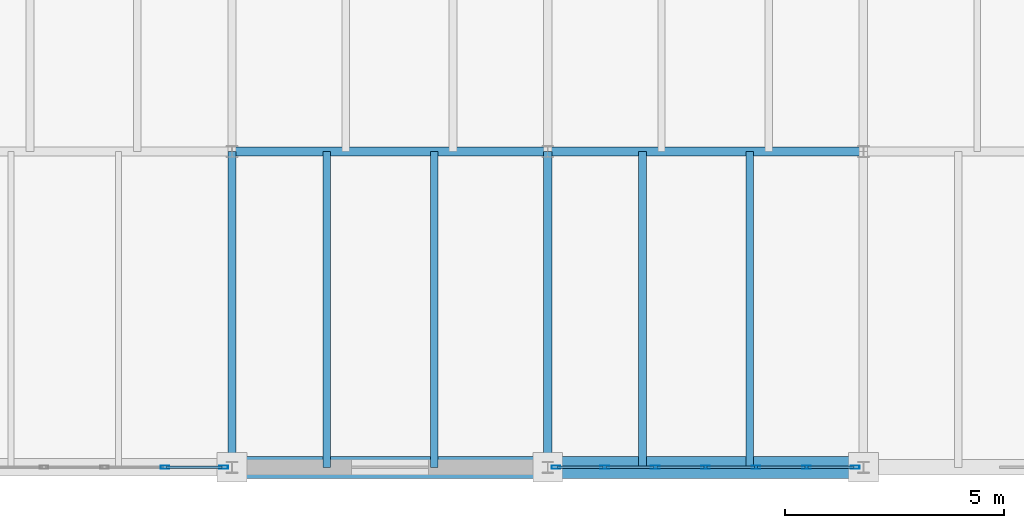
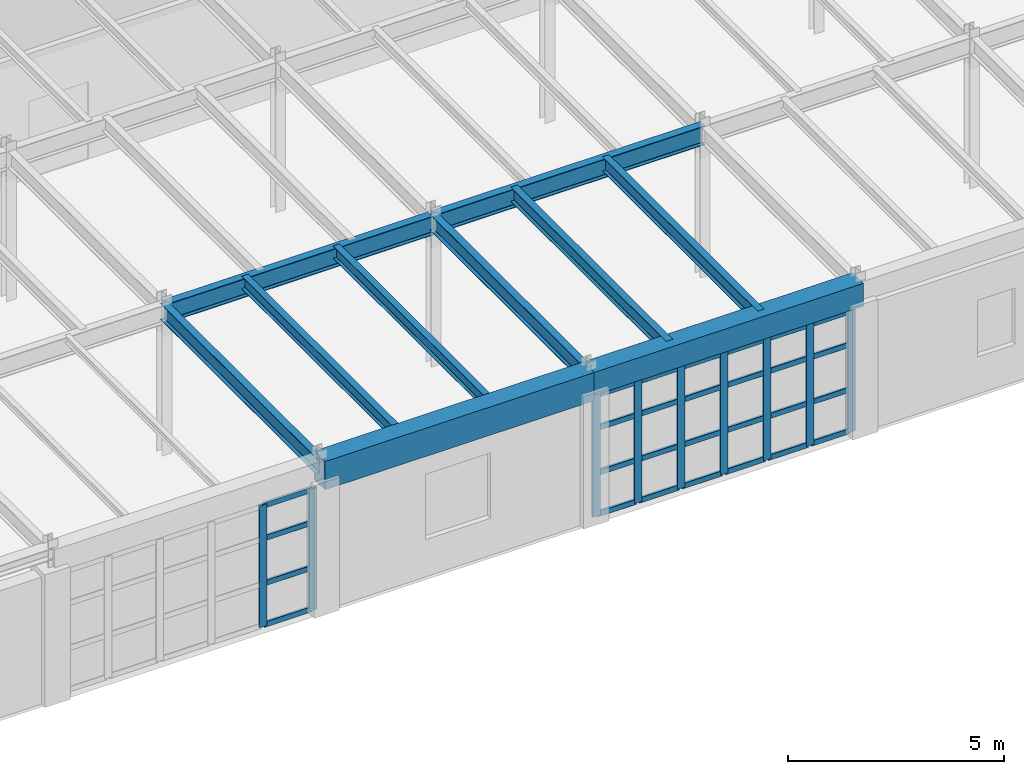
# One storey, part 68 of 137: 37 members, 10 beams, 2 elements without a shape of their own.
"""IFC4 building model written with IfcOpenShell, lengths in metres."""

from ifc_helpers import new_model, si_unit, direction, frame, origin, origin_2d, place, context, subcontext, project, spatial, rectangle, hollow_rectangle, i_section, extrude, material, layer, layer_set, material_profile, profile_set, type_object, element, aggregate, save


model = new_model("IFC4")

# Units and contexts
model_context = context("Model", 3, precision=1e-05, world=origin(), true_north=direction((0.0, 1.0)))
body_context = subcontext(model_context, "Body", "Model", "MODEL_VIEW")
ifc_project = project(units=[si_unit("LENGTHUNIT", "METRE"), si_unit("AREAUNIT", "SQUARE_METRE"), si_unit("VOLUMEUNIT", "CUBIC_METRE"), si_unit("PLANEANGLEUNIT", "RADIAN"), si_unit("MASSUNIT", "GRAM", prefix="KILO")], contexts=[model_context])

# Site, building, storey
site_placement = place(None, origin())
site = spatial("IfcSite", under=ifc_project, at=site_placement, CompositionType="ELEMENT")
building_placement = place(site_placement, origin())
building = spatial("IfcBuilding", under=site, at=building_placement, Name="Kemerveld Promenade Tramway Depot", CompositionType="ELEMENT")
storey_placement = place(building_placement, frame((0.0, 0.0, 5.39990234375)))
storey = spatial("IfcBuildingStorey", under=building, at=storey_placement, Name="L01", CompositionType="ELEMENT", Elevation=5.39990234375)

# Beams
ifc_material_1 = material(Name="Steel S355", Category="steel")
ifc_material_profile_1 = material_profile(ifc_material_1, i_section(OverallWidth=0.2099609375, OverallDepth=0.53662109375, WebThickness=0.0107421875, FlangeThickness=0.017333984375, FilletRadius=0.0126953125, at=origin_2d()), Name="533x210x101 UB")
ifc_profile_set_1 = profile_set([ifc_material_profile_1], Name="Steel S355")
beam_type_1 = type_object("IfcBeamType", Name="BM-G05", PredefinedType="BEAM", material=ifc_profile_set_1)
for number, where, z_axis, x_axis, name in (
    (1, (129.60009765625, 7.199951171875, 3.981689453125), (1.0, 0.0, 0.0), (0.0, 1.0, 0.0), "BMX-L01-19-20-B"),
    (2, (136.800048828125, 7.199951171875, 3.99169921875), (1.0, 0.0, 0.0), (0.0, 1.0, 0.0), "BMX-L01-20-21-B"),
):
    element("IfcBeam", number, at=place(storey_placement, frame(where, z_axis=z_axis, x_axis=x_axis)), inside=storey, type_object=beam_type_1, Name=name, PredefinedType="BEAM", context=body_context, shape_type="SweptSolid", body=[
        extrude(i_section(OverallWidth=0.2099609375, OverallDepth=0.53662109375, WebThickness=0.0107421875, FlangeThickness=0.017333984375, FilletRadius=0.0126953125, at=origin_2d()), origin(), (0.0, 0.0, 1.0), 7.199951171875),
    ])
ifc_material_profile_2 = material_profile(ifc_material_1, i_section(OverallWidth=0.19140625, OverallDepth=0.4599609375, WebThickness=0.010009765625, FlangeThickness=0.01611328125, FilletRadius=0.01025390625, at=origin_2d()), Name="457x191x82 UB")
ifc_profile_set_2 = profile_set([ifc_material_profile_2], Name="Steel S355")
beam_type_2 = type_object("IfcBeamType", Name="BM-G06", PredefinedType="BEAM", material=ifc_profile_set_2)
for number, where, z_axis, x_axis, name in (
    (3, (129.60009765625, 0.0, 4.02001953125), (0.0, 1.0, 0.0), (-1.0, 0.0, 0.0), "BMY-L01-19-A-B"),
    (4, (136.800048828125, 0.0, 4.030029296875), (0.0, 1.0, 0.0), (-1.0, 0.0, 0.0), "BMY-L01-20-A-B"),
):
    element("IfcBeam", number, at=place(storey_placement, frame(where, z_axis=z_axis, x_axis=x_axis)), inside=storey, type_object=beam_type_2, Name=name, PredefinedType="BEAM", context=body_context, shape_type="SweptSolid", body=[
        extrude(i_section(OverallWidth=0.19140625, OverallDepth=0.4599609375, WebThickness=0.010009765625, FlangeThickness=0.01611328125, FilletRadius=0.01025390625, at=origin_2d()), origin(), (0.0, 0.0, 1.0), 7.199951171875),
    ])
ifc_material_profile_3 = material_profile(ifc_material_1, i_section(OverallWidth=0.172119140625, OverallDepth=0.35791015625, WebThickness=0.008056640625, FlangeThickness=0.012939453125, FilletRadius=0.01025390625, at=origin_2d()), Name="356x171x57 UB")
ifc_profile_set_3 = profile_set([ifc_material_profile_3], Name="Steel S355")
beam_type_3 = type_object("IfcBeamType", Name="BM-J04", PredefinedType="JOIST", material=ifc_profile_set_3)
for number, where, z_axis, x_axis, name in (
    (5, (131.760009765625, 0.0, 4.0810546875), (0.0, 1.0, 0.0), (-1.0, 0.0, 0.0), "JST-L01-19-A-1"),
    (6, (134.2080078125, 0.0, 4.0810546875), (0.0, 1.0, 0.0), (-1.0, 0.0, 0.0), "JST-L01-19-A-2"),
):
    element("IfcBeam", number, at=place(storey_placement, frame(where, z_axis=z_axis, x_axis=x_axis)), inside=storey, type_object=beam_type_3, Name=name, PredefinedType="JOIST", context=body_context, shape_type="SweptSolid", body=[
        extrude(i_section(OverallWidth=0.172119140625, OverallDepth=0.35791015625, WebThickness=0.008056640625, FlangeThickness=0.012939453125, FilletRadius=0.01025390625, at=origin_2d()), origin(), (0.0, 0.0, 1.0), 7.199951171875),
    ])
ifc_material_profile_4 = material_profile(ifc_material_1, i_section(OverallWidth=0.1787109375, OverallDepth=0.409423828125, WebThickness=0.0087890625, FlangeThickness=0.014404296875, FilletRadius=0.01025390625, at=origin_2d()), Name="406x178x67 UB")
ifc_profile_set_4 = profile_set([ifc_material_profile_4], Name="Steel S355")
beam_type_4 = type_object("IfcBeamType", Name="BM-J05", PredefinedType="JOIST", material=ifc_profile_set_4)
for number, where, z_axis, x_axis, name in (
    (7, (138.9599609375, 0.0, 4.055419921875), (0.0, 1.0, 0.0), (-1.0, 0.0, 0.0), "JST-L01-20-A-1"),
    (8, (141.407958984375, 0.0, 4.055419921875), (0.0, 1.0, 0.0), (-1.0, 0.0, 0.0), "JST-L01-20-A-2"),
):
    element("IfcBeam", number, at=place(storey_placement, frame(where, z_axis=z_axis, x_axis=x_axis)), inside=storey, type_object=beam_type_4, Name=name, PredefinedType="JOIST", context=body_context, shape_type="SweptSolid", body=[
        extrude(i_section(OverallWidth=0.1787109375, OverallDepth=0.409423828125, WebThickness=0.0087890625, FlangeThickness=0.014404296875, FilletRadius=0.01025390625, at=origin_2d()), origin(), (0.0, 0.0, 1.0), 7.199951171875),
    ])
ifc_material_2 = material(Name="Concrete C40/50", Category="concrete")
ifc_material_profile_5 = material_profile(ifc_material_2, rectangle(XDim=0.5, YDim=0.64990234375, at=origin_2d()), Name="RC-PLINTH-500x650")
ifc_profile_set_5 = profile_set([ifc_material_profile_5], Name="Concrete C40/50")
beam_type_5 = type_object("IfcBeamType", Name="BM-PL1", PredefinedType="BEAM", material=ifc_profile_set_5)
beam_1_placement = place(storey_placement, frame((136.800048828125, 0.0, 3.93505859375), z_axis=(1.0, 0.0, 0.0), x_axis=(0.0, 1.0, 0.0)))
element("IfcBeam", 9, at=beam_1_placement, inside=storey, type_object=beam_type_5, Name="BMX-L01-20-21-A", PredefinedType="BEAM", context=body_context, shape_type="SweptSolid", body=[
    extrude(rectangle(XDim=0.5, YDim=0.64990234375, at=origin_2d()), origin(), (0.0, 0.0, 1.0), 7.199951171875),
])
ifc_material_profile_6 = material_profile(ifc_material_2, rectangle(XDim=0.5, YDim=0.800048828125, at=origin_2d()), Name="RC-BM-500x800")
ifc_profile_set_6 = profile_set([ifc_material_profile_6], Name="Concrete C40/50")
beam_type_6 = type_object("IfcBeamType", Name="BM-RC2", PredefinedType="BEAM", material=ifc_profile_set_6)
beam_2_placement = place(storey_placement, frame((129.60009765625, 0.0, 3.860107421875), z_axis=(1.0, 0.0, 0.0), x_axis=(0.0, 1.0, 0.0)))
element("IfcBeam", 10, at=beam_2_placement, inside=storey, type_object=beam_type_6, Name="BMX-L01-19-20-A", PredefinedType="BEAM", context=body_context, shape_type="SweptSolid", body=[
    extrude(rectangle(XDim=0.5, YDim=0.800048828125, at=origin_2d()), origin(), (0.0, 0.0, 1.0), 7.199951171875),
])

# Curtain wall, members
ifc_material_3 = material(Name="Bronze anodised aluminium and solar glass", Category="aluminium")
ifc_layer_1 = layer(ifc_material_3, 0.199951171875)
ifc_layer_set_1 = layer_set([ifc_layer_1], Name="CW-SYS-06")
curtain_wall_type_1 = type_object("IfcCurtainWallType", Name="CW-SYS-06", PredefinedType="USERDEFINED", material=ifc_layer_set_1)
curtain_wall_1_placement = place(storey_placement, origin())
curtain_wall_1 = element("IfcCurtainWall", 11, at=curtain_wall_1_placement, inside=storey, type_object=curtain_wall_type_1, Name="CW-L01-V4S-03", ObjectType="GLAZED_CURTAIN_WALL", PredefinedType="USERDEFINED")
ifc_material_4 = material(Name="Bronze anodised aluminium", Category="aluminium")
ifc_material_profile_7 = material_profile(ifc_material_4, hollow_rectangle(XDim=0.074951171875, YDim=0.199951171875, WallThickness=0.0048828125, InnerFilletRadius=0.001953125, OuterFilletRadius=0.0048828125, at=origin_2d()), Name="CW-MUL-200x75")
ifc_profile_set_7 = profile_set([ifc_material_profile_7], Name="Bronze anodised aluminium")
member_type_1 = type_object("IfcMemberType", Name="CW-MUL-B", PredefinedType="MULLION", material=ifc_profile_set_7)
member_1_placement = place(storey_placement, frame((143.8125, 0.0, 0.0), z_axis=(0.0, 0.0, 1.0), x_axis=(0.0, -1.0, 0.0)))
member_1 = element("IfcMember", 12, at=member_1_placement, type_object=member_type_1, Name="CW06 mullion 1", PredefinedType="MULLION", context=body_context, shape_type="SweptSolid", body=[
    extrude(hollow_rectangle(XDim=0.074951171875, YDim=0.199951171875, WallThickness=0.0048828125, InnerFilletRadius=0.001953125, OuterFilletRadius=0.0048828125, at=origin_2d()), origin(), (0.0, 0.0, 1.0), 3.440185546875),
])
member_2_placement = place(storey_placement, frame((142.699951171875, 0.0, 0.0), z_axis=(0.0, 0.0, 1.0), x_axis=(0.0, -1.0, 0.0)))
member_2 = element("IfcMember", 13, at=member_2_placement, type_object=member_type_1, Name="CW06 mullion 2", PredefinedType="MULLION", context=body_context, shape_type="SweptSolid", body=[
    extrude(hollow_rectangle(XDim=0.074951171875, YDim=0.199951171875, WallThickness=0.0048828125, InnerFilletRadius=0.001953125, OuterFilletRadius=0.0048828125, at=origin_2d()), origin(), (0.0, 0.0, 1.0), 3.440185546875),
])
member_3_placement = place(storey_placement, frame((141.550048828125, 0.0, 0.0), z_axis=(0.0, 0.0, 1.0), x_axis=(0.0, -1.0, 0.0)))
member_3 = element("IfcMember", 14, at=member_3_placement, type_object=member_type_1, Name="CW06 mullion 3", PredefinedType="MULLION", context=body_context, shape_type="SweptSolid", body=[
    extrude(hollow_rectangle(XDim=0.074951171875, YDim=0.199951171875, WallThickness=0.0048828125, InnerFilletRadius=0.001953125, OuterFilletRadius=0.0048828125, at=origin_2d()), origin(), (0.0, 0.0, 1.0), 3.440185546875),
])
member_4_placement = place(storey_placement, frame((140.400146484375, 0.0, 0.0), z_axis=(0.0, 0.0, 1.0), x_axis=(0.0, -1.0, 0.0)))
member_4 = element("IfcMember", 15, at=member_4_placement, type_object=member_type_1, Name="CW06 mullion 4", PredefinedType="MULLION", context=body_context, shape_type="SweptSolid", body=[
    extrude(hollow_rectangle(XDim=0.074951171875, YDim=0.199951171875, WallThickness=0.0048828125, InnerFilletRadius=0.001953125, OuterFilletRadius=0.0048828125, at=origin_2d()), origin(), (0.0, 0.0, 1.0), 3.440185546875),
])
member_5_placement = place(storey_placement, frame((139.25, 0.0, 0.0), z_axis=(0.0, 0.0, 1.0), x_axis=(0.0, -1.0, 0.0)))
member_5 = element("IfcMember", 16, at=member_5_placement, type_object=member_type_1, Name="CW06 mullion 5", PredefinedType="MULLION", context=body_context, shape_type="SweptSolid", body=[
    extrude(hollow_rectangle(XDim=0.074951171875, YDim=0.199951171875, WallThickness=0.0048828125, InnerFilletRadius=0.001953125, OuterFilletRadius=0.0048828125, at=origin_2d()), origin(), (0.0, 0.0, 1.0), 3.440185546875),
])
member_6_placement = place(storey_placement, frame((138.10009765625, 0.0, 0.0), z_axis=(0.0, 0.0, 1.0), x_axis=(0.0, -1.0, 0.0)))
member_6 = element("IfcMember", 17, at=member_6_placement, type_object=member_type_1, Name="CW06 mullion 6", PredefinedType="MULLION", context=body_context, shape_type="SweptSolid", body=[
    extrude(hollow_rectangle(XDim=0.074951171875, YDim=0.199951171875, WallThickness=0.0048828125, InnerFilletRadius=0.001953125, OuterFilletRadius=0.0048828125, at=origin_2d()), origin(), (0.0, 0.0, 1.0), 3.440185546875),
])
member_7_placement = place(storey_placement, frame((136.98779296875, 0.0, 0.0), z_axis=(0.0, 0.0, 1.0), x_axis=(0.0, -1.0, 0.0)))
member_7 = element("IfcMember", 18, at=member_7_placement, type_object=member_type_1, Name="CW06 mullion 7", PredefinedType="MULLION", context=body_context, shape_type="SweptSolid", body=[
    extrude(hollow_rectangle(XDim=0.074951171875, YDim=0.199951171875, WallThickness=0.0048828125, InnerFilletRadius=0.001953125, OuterFilletRadius=0.0048828125, at=origin_2d()), origin(), (0.0, 0.0, 1.0), 3.440185546875),
])

ifc_layer_2 = layer(ifc_material_3, 0.199951171875)
ifc_layer_set_2 = layer_set([ifc_layer_2], Name="CW-SYS-08")
curtain_wall_type_2 = type_object("IfcCurtainWallType", Name="CW-SYS-08", PredefinedType="USERDEFINED", material=ifc_layer_set_2)
curtain_wall_2_placement = place(storey_placement, origin())
curtain_wall_2 = element("IfcCurtainWall", 19, at=curtain_wall_2_placement, inside=storey, type_object=curtain_wall_type_2, Name="CW-L01-V4S-05", ObjectType="GLAZED_CURTAIN_WALL", PredefinedType="USERDEFINED")
member_8_placement = place(storey_placement, frame((129.412353515625, 0.0, 0.0), z_axis=(0.0, 0.0, 1.0), x_axis=(0.0, -1.0, 0.0)))
member_8 = element("IfcMember", 20, at=member_8_placement, type_object=member_type_1, Name="CW08 mullion 1", PredefinedType="MULLION", context=body_context, shape_type="SweptSolid", body=[
    extrude(hollow_rectangle(XDim=0.074951171875, YDim=0.199951171875, WallThickness=0.0048828125, InnerFilletRadius=0.001953125, OuterFilletRadius=0.0048828125, at=origin_2d()), origin(), (0.0, 0.0, 1.0), 3.440185546875),
])
member_9_placement = place(storey_placement, frame((128.06982421875, 0.0, 0.0), z_axis=(0.0, 0.0, 1.0), x_axis=(0.0, -1.0, 0.0)))
member_9 = element("IfcMember", 21, at=member_9_placement, type_object=member_type_1, Name="CW08 mullion 2", PredefinedType="MULLION", context=body_context, shape_type="SweptSolid", body=[
    extrude(hollow_rectangle(XDim=0.074951171875, YDim=0.199951171875, WallThickness=0.0048828125, InnerFilletRadius=0.001953125, OuterFilletRadius=0.0048828125, at=origin_2d()), origin(), (0.0, 0.0, 1.0), 3.440185546875),
])

# Member
ifc_material_profile_8 = material_profile(ifc_material_4, hollow_rectangle(XDim=0.06494140625, YDim=0.14990234375, WallThickness=0.00439453125, InnerFilletRadius=0.001953125, OuterFilletRadius=0.00439453125, at=origin_2d()), Name="CW-TRN-150x65")
ifc_profile_set_8 = profile_set([ifc_material_profile_8], Name="Bronze anodised aluminium")
member_type_2 = type_object("IfcMemberType", Name="CW-TRN-B", PredefinedType="USERDEFINED", material=ifc_profile_set_8)
member_10_placement = place(storey_placement, frame((143.77490234375, 0.0, 0.03271484375), z_axis=(-1.0, 0.0, 0.0), x_axis=(0.0, -1.0, 0.0)))
member_10 = element("IfcMember", 22, at=member_10_placement, type_object=member_type_2, Name="CW06 transom 1.1", ObjectType="TRANSOM", PredefinedType="USERDEFINED", context=body_context, shape_type="SweptSolid", body=[
    extrude(hollow_rectangle(XDim=0.06494140625, YDim=0.14990234375, WallThickness=0.00439453125, InnerFilletRadius=0.001953125, OuterFilletRadius=0.00439453125, at=origin_2d()), origin(), (0.0, 0.0, 1.0), 1.037353515625),
])

member_11_placement = place(storey_placement, frame((143.77490234375, 0.0, 1.2041015625), z_axis=(-1.0, 0.0, 0.0), x_axis=(0.0, -1.0, 0.0)))
member_11 = element("IfcMember", 23, at=member_11_placement, type_object=member_type_2, Name="CW06 transom 1.2", ObjectType="TRANSOM", PredefinedType="USERDEFINED", context=body_context, shape_type="SweptSolid", body=[
    extrude(hollow_rectangle(XDim=0.06494140625, YDim=0.14990234375, WallThickness=0.00439453125, InnerFilletRadius=0.001953125, OuterFilletRadius=0.00439453125, at=origin_2d()), origin(), (0.0, 0.0, 1.0), 1.037353515625),
])

member_12_placement = place(storey_placement, frame((143.77490234375, 0.0, 2.47705078125), z_axis=(-1.0, 0.0, 0.0), x_axis=(0.0, -1.0, 0.0)))
member_12 = element("IfcMember", 24, at=member_12_placement, type_object=member_type_2, Name="CW06 transom 1.3", ObjectType="TRANSOM", PredefinedType="USERDEFINED", context=body_context, shape_type="SweptSolid", body=[
    extrude(hollow_rectangle(XDim=0.06494140625, YDim=0.14990234375, WallThickness=0.00439453125, InnerFilletRadius=0.001953125, OuterFilletRadius=0.00439453125, at=origin_2d()), origin(), (0.0, 0.0, 1.0), 1.037353515625),
])

member_13_placement = place(storey_placement, frame((143.77490234375, 0.0, 3.40771484375), z_axis=(-1.0, 0.0, 0.0), x_axis=(0.0, -1.0, 0.0)))
member_13 = element("IfcMember", 25, at=member_13_placement, type_object=member_type_2, Name="CW06 transom 1.4", ObjectType="TRANSOM", PredefinedType="USERDEFINED", context=body_context, shape_type="SweptSolid", body=[
    extrude(hollow_rectangle(XDim=0.06494140625, YDim=0.14990234375, WallThickness=0.00439453125, InnerFilletRadius=0.001953125, OuterFilletRadius=0.00439453125, at=origin_2d()), origin(), (0.0, 0.0, 1.0), 1.037353515625),
])

member_14_placement = place(storey_placement, frame((142.662353515625, 0.0, 0.03271484375), z_axis=(-1.0, 0.0, 0.0), x_axis=(0.0, -1.0, 0.0)))
member_14 = element("IfcMember", 26, at=member_14_placement, type_object=member_type_2, Name="CW06 transom 2.1", ObjectType="TRANSOM", PredefinedType="USERDEFINED", context=body_context, shape_type="SweptSolid", body=[
    extrude(hollow_rectangle(XDim=0.06494140625, YDim=0.14990234375, WallThickness=0.00439453125, InnerFilletRadius=0.001953125, OuterFilletRadius=0.00439453125, at=origin_2d()), origin(), (0.0, 0.0, 1.0), 1.074951171875),
])

member_15_placement = place(storey_placement, frame((142.662353515625, 0.0, 1.2041015625), z_axis=(-1.0, 0.0, 0.0), x_axis=(0.0, -1.0, 0.0)))
member_15 = element("IfcMember", 27, at=member_15_placement, type_object=member_type_2, Name="CW06 transom 2.2", ObjectType="TRANSOM", PredefinedType="USERDEFINED", context=body_context, shape_type="SweptSolid", body=[
    extrude(hollow_rectangle(XDim=0.06494140625, YDim=0.14990234375, WallThickness=0.00439453125, InnerFilletRadius=0.001953125, OuterFilletRadius=0.00439453125, at=origin_2d()), origin(), (0.0, 0.0, 1.0), 1.074951171875),
])

member_16_placement = place(storey_placement, frame((142.662353515625, 0.0, 2.47705078125), z_axis=(-1.0, 0.0, 0.0), x_axis=(0.0, -1.0, 0.0)))
member_16 = element("IfcMember", 28, at=member_16_placement, type_object=member_type_2, Name="CW06 transom 2.3", ObjectType="TRANSOM", PredefinedType="USERDEFINED", context=body_context, shape_type="SweptSolid", body=[
    extrude(hollow_rectangle(XDim=0.06494140625, YDim=0.14990234375, WallThickness=0.00439453125, InnerFilletRadius=0.001953125, OuterFilletRadius=0.00439453125, at=origin_2d()), origin(), (0.0, 0.0, 1.0), 1.074951171875),
])

member_17_placement = place(storey_placement, frame((142.662353515625, 0.0, 3.40771484375), z_axis=(-1.0, 0.0, 0.0), x_axis=(0.0, -1.0, 0.0)))
member_17 = element("IfcMember", 29, at=member_17_placement, type_object=member_type_2, Name="CW06 transom 2.4", ObjectType="TRANSOM", PredefinedType="USERDEFINED", context=body_context, shape_type="SweptSolid", body=[
    extrude(hollow_rectangle(XDim=0.06494140625, YDim=0.14990234375, WallThickness=0.00439453125, InnerFilletRadius=0.001953125, OuterFilletRadius=0.00439453125, at=origin_2d()), origin(), (0.0, 0.0, 1.0), 1.074951171875),
])

member_18_placement = place(storey_placement, frame((141.512451171875, 0.0, 0.03271484375), z_axis=(-1.0, 0.0, 0.0), x_axis=(0.0, -1.0, 0.0)))
member_18 = element("IfcMember", 30, at=member_18_placement, type_object=member_type_2, Name="CW06 transom 3.1", ObjectType="TRANSOM", PredefinedType="USERDEFINED", context=body_context, shape_type="SweptSolid", body=[
    extrude(hollow_rectangle(XDim=0.06494140625, YDim=0.14990234375, WallThickness=0.00439453125, InnerFilletRadius=0.001953125, OuterFilletRadius=0.00439453125, at=origin_2d()), origin(), (0.0, 0.0, 1.0), 1.074951171875),
])

member_19_placement = place(storey_placement, frame((141.512451171875, 0.0, 1.2041015625), z_axis=(-1.0, 0.0, 0.0), x_axis=(0.0, -1.0, 0.0)))
member_19 = element("IfcMember", 31, at=member_19_placement, type_object=member_type_2, Name="CW06 transom 3.2", ObjectType="TRANSOM", PredefinedType="USERDEFINED", context=body_context, shape_type="SweptSolid", body=[
    extrude(hollow_rectangle(XDim=0.06494140625, YDim=0.14990234375, WallThickness=0.00439453125, InnerFilletRadius=0.001953125, OuterFilletRadius=0.00439453125, at=origin_2d()), origin(), (0.0, 0.0, 1.0), 1.074951171875),
])

member_20_placement = place(storey_placement, frame((141.512451171875, 0.0, 2.47705078125), z_axis=(-1.0, 0.0, 0.0), x_axis=(0.0, -1.0, 0.0)))
member_20 = element("IfcMember", 32, at=member_20_placement, type_object=member_type_2, Name="CW06 transom 3.3", ObjectType="TRANSOM", PredefinedType="USERDEFINED", context=body_context, shape_type="SweptSolid", body=[
    extrude(hollow_rectangle(XDim=0.06494140625, YDim=0.14990234375, WallThickness=0.00439453125, InnerFilletRadius=0.001953125, OuterFilletRadius=0.00439453125, at=origin_2d()), origin(), (0.0, 0.0, 1.0), 1.074951171875),
])

member_21_placement = place(storey_placement, frame((141.512451171875, 0.0, 3.40771484375), z_axis=(-1.0, 0.0, 0.0), x_axis=(0.0, -1.0, 0.0)))
member_21 = element("IfcMember", 33, at=member_21_placement, type_object=member_type_2, Name="CW06 transom 3.4", ObjectType="TRANSOM", PredefinedType="USERDEFINED", context=body_context, shape_type="SweptSolid", body=[
    extrude(hollow_rectangle(XDim=0.06494140625, YDim=0.14990234375, WallThickness=0.00439453125, InnerFilletRadius=0.001953125, OuterFilletRadius=0.00439453125, at=origin_2d()), origin(), (0.0, 0.0, 1.0), 1.074951171875),
])

member_22_placement = place(storey_placement, frame((140.362548828125, 0.0, 0.03271484375), z_axis=(-1.0, 0.0, 0.0), x_axis=(0.0, -1.0, 0.0)))
member_22 = element("IfcMember", 34, at=member_22_placement, type_object=member_type_2, Name="CW06 transom 4.1", ObjectType="TRANSOM", PredefinedType="USERDEFINED", context=body_context, shape_type="SweptSolid", body=[
    extrude(hollow_rectangle(XDim=0.06494140625, YDim=0.14990234375, WallThickness=0.00439453125, InnerFilletRadius=0.001953125, OuterFilletRadius=0.00439453125, at=origin_2d()), origin(), (0.0, 0.0, 1.0), 1.074951171875),
])

member_23_placement = place(storey_placement, frame((140.362548828125, 0.0, 1.2041015625), z_axis=(-1.0, 0.0, 0.0), x_axis=(0.0, -1.0, 0.0)))
member_23 = element("IfcMember", 35, at=member_23_placement, type_object=member_type_2, Name="CW06 transom 4.2", ObjectType="TRANSOM", PredefinedType="USERDEFINED", context=body_context, shape_type="SweptSolid", body=[
    extrude(hollow_rectangle(XDim=0.06494140625, YDim=0.14990234375, WallThickness=0.00439453125, InnerFilletRadius=0.001953125, OuterFilletRadius=0.00439453125, at=origin_2d()), origin(), (0.0, 0.0, 1.0), 1.074951171875),
])

member_24_placement = place(storey_placement, frame((140.362548828125, 0.0, 2.47705078125), z_axis=(-1.0, 0.0, 0.0), x_axis=(0.0, -1.0, 0.0)))
member_24 = element("IfcMember", 36, at=member_24_placement, type_object=member_type_2, Name="CW06 transom 4.3", ObjectType="TRANSOM", PredefinedType="USERDEFINED", context=body_context, shape_type="SweptSolid", body=[
    extrude(hollow_rectangle(XDim=0.06494140625, YDim=0.14990234375, WallThickness=0.00439453125, InnerFilletRadius=0.001953125, OuterFilletRadius=0.00439453125, at=origin_2d()), origin(), (0.0, 0.0, 1.0), 1.074951171875),
])

member_25_placement = place(storey_placement, frame((140.362548828125, 0.0, 3.40771484375), z_axis=(-1.0, 0.0, 0.0), x_axis=(0.0, -1.0, 0.0)))
member_25 = element("IfcMember", 37, at=member_25_placement, type_object=member_type_2, Name="CW06 transom 4.4", ObjectType="TRANSOM", PredefinedType="USERDEFINED", context=body_context, shape_type="SweptSolid", body=[
    extrude(hollow_rectangle(XDim=0.06494140625, YDim=0.14990234375, WallThickness=0.00439453125, InnerFilletRadius=0.001953125, OuterFilletRadius=0.00439453125, at=origin_2d()), origin(), (0.0, 0.0, 1.0), 1.074951171875),
])

member_26_placement = place(storey_placement, frame((139.212646484375, 0.0, 0.03271484375), z_axis=(-1.0, 0.0, 0.0), x_axis=(0.0, -1.0, 0.0)))
member_26 = element("IfcMember", 38, at=member_26_placement, type_object=member_type_2, Name="CW06 transom 5.1", ObjectType="TRANSOM", PredefinedType="USERDEFINED", context=body_context, shape_type="SweptSolid", body=[
    extrude(hollow_rectangle(XDim=0.06494140625, YDim=0.14990234375, WallThickness=0.00439453125, InnerFilletRadius=0.001953125, OuterFilletRadius=0.00439453125, at=origin_2d()), origin(), (0.0, 0.0, 1.0), 1.074951171875),
])

member_27_placement = place(storey_placement, frame((139.212646484375, 0.0, 1.2041015625), z_axis=(-1.0, 0.0, 0.0), x_axis=(0.0, -1.0, 0.0)))
member_27 = element("IfcMember", 39, at=member_27_placement, type_object=member_type_2, Name="CW06 transom 5.2", ObjectType="TRANSOM", PredefinedType="USERDEFINED", context=body_context, shape_type="SweptSolid", body=[
    extrude(hollow_rectangle(XDim=0.06494140625, YDim=0.14990234375, WallThickness=0.00439453125, InnerFilletRadius=0.001953125, OuterFilletRadius=0.00439453125, at=origin_2d()), origin(), (0.0, 0.0, 1.0), 1.074951171875),
])

member_28_placement = place(storey_placement, frame((139.212646484375, 0.0, 2.47705078125), z_axis=(-1.0, 0.0, 0.0), x_axis=(0.0, -1.0, 0.0)))
member_28 = element("IfcMember", 40, at=member_28_placement, type_object=member_type_2, Name="CW06 transom 5.3", ObjectType="TRANSOM", PredefinedType="USERDEFINED", context=body_context, shape_type="SweptSolid", body=[
    extrude(hollow_rectangle(XDim=0.06494140625, YDim=0.14990234375, WallThickness=0.00439453125, InnerFilletRadius=0.001953125, OuterFilletRadius=0.00439453125, at=origin_2d()), origin(), (0.0, 0.0, 1.0), 1.074951171875),
])

member_29_placement = place(storey_placement, frame((139.212646484375, 0.0, 3.40771484375), z_axis=(-1.0, 0.0, 0.0), x_axis=(0.0, -1.0, 0.0)))
member_29 = element("IfcMember", 41, at=member_29_placement, type_object=member_type_2, Name="CW06 transom 5.4", ObjectType="TRANSOM", PredefinedType="USERDEFINED", context=body_context, shape_type="SweptSolid", body=[
    extrude(hollow_rectangle(XDim=0.06494140625, YDim=0.14990234375, WallThickness=0.00439453125, InnerFilletRadius=0.001953125, OuterFilletRadius=0.00439453125, at=origin_2d()), origin(), (0.0, 0.0, 1.0), 1.074951171875),
])

member_30_placement = place(storey_placement, frame((138.062744140625, 0.0, 0.03271484375), z_axis=(-1.0, 0.0, 0.0), x_axis=(0.0, -1.0, 0.0)))
member_30 = element("IfcMember", 42, at=member_30_placement, type_object=member_type_2, Name="CW06 transom 6.1", ObjectType="TRANSOM", PredefinedType="USERDEFINED", context=body_context, shape_type="SweptSolid", body=[
    extrude(hollow_rectangle(XDim=0.06494140625, YDim=0.14990234375, WallThickness=0.00439453125, InnerFilletRadius=0.001953125, OuterFilletRadius=0.00439453125, at=origin_2d()), origin(), (0.0, 0.0, 1.0), 1.03759765625),
])

member_31_placement = place(storey_placement, frame((138.062744140625, 0.0, 1.2041015625), z_axis=(-1.0, 0.0, 0.0), x_axis=(0.0, -1.0, 0.0)))
member_31 = element("IfcMember", 43, at=member_31_placement, type_object=member_type_2, Name="CW06 transom 6.2", ObjectType="TRANSOM", PredefinedType="USERDEFINED", context=body_context, shape_type="SweptSolid", body=[
    extrude(hollow_rectangle(XDim=0.06494140625, YDim=0.14990234375, WallThickness=0.00439453125, InnerFilletRadius=0.001953125, OuterFilletRadius=0.00439453125, at=origin_2d()), origin(), (0.0, 0.0, 1.0), 1.03759765625),
])

member_32_placement = place(storey_placement, frame((138.062744140625, 0.0, 2.47705078125), z_axis=(-1.0, 0.0, 0.0), x_axis=(0.0, -1.0, 0.0)))
member_32 = element("IfcMember", 44, at=member_32_placement, type_object=member_type_2, Name="CW06 transom 6.3", ObjectType="TRANSOM", PredefinedType="USERDEFINED", context=body_context, shape_type="SweptSolid", body=[
    extrude(hollow_rectangle(XDim=0.06494140625, YDim=0.14990234375, WallThickness=0.00439453125, InnerFilletRadius=0.001953125, OuterFilletRadius=0.00439453125, at=origin_2d()), origin(), (0.0, 0.0, 1.0), 1.03759765625),
])

member_33_placement = place(storey_placement, frame((138.062744140625, 0.0, 3.40771484375), z_axis=(-1.0, 0.0, 0.0), x_axis=(0.0, -1.0, 0.0)))
member_33 = element("IfcMember", 45, at=member_33_placement, type_object=member_type_2, Name="CW06 transom 6.4", ObjectType="TRANSOM", PredefinedType="USERDEFINED", context=body_context, shape_type="SweptSolid", body=[
    extrude(hollow_rectangle(XDim=0.06494140625, YDim=0.14990234375, WallThickness=0.00439453125, InnerFilletRadius=0.001953125, OuterFilletRadius=0.00439453125, at=origin_2d()), origin(), (0.0, 0.0, 1.0), 1.03759765625),
])

aggregate(curtain_wall_1, [member_1, member_2, member_3, member_4, member_5, member_6, member_7, member_10, member_11, member_12, member_13, member_14, member_15, member_16, member_17, member_18, member_19, member_20, member_21, member_22, member_23, member_24, member_25, member_26, member_27, member_28, member_29, member_30, member_31, member_32, member_33])

member_34_placement = place(storey_placement, frame((129.374755859375, 0.0, 0.03271484375), z_axis=(-1.0, 0.0, 0.0), x_axis=(0.0, -1.0, 0.0)))
member_34 = element("IfcMember", 46, at=member_34_placement, type_object=member_type_2, Name="CW08 transom 1.1", ObjectType="TRANSOM", PredefinedType="USERDEFINED", context=body_context, shape_type="SweptSolid", body=[
    extrude(hollow_rectangle(XDim=0.06494140625, YDim=0.14990234375, WallThickness=0.00439453125, InnerFilletRadius=0.001953125, OuterFilletRadius=0.00439453125, at=origin_2d()), origin(), (0.0, 0.0, 1.0), 1.267333984375),
])

member_35_placement = place(storey_placement, frame((129.374755859375, 0.0, 1.2041015625), z_axis=(-1.0, 0.0, 0.0), x_axis=(0.0, -1.0, 0.0)))
member_35 = element("IfcMember", 47, at=member_35_placement, type_object=member_type_2, Name="CW08 transom 1.2", ObjectType="TRANSOM", PredefinedType="USERDEFINED", context=body_context, shape_type="SweptSolid", body=[
    extrude(hollow_rectangle(XDim=0.06494140625, YDim=0.14990234375, WallThickness=0.00439453125, InnerFilletRadius=0.001953125, OuterFilletRadius=0.00439453125, at=origin_2d()), origin(), (0.0, 0.0, 1.0), 1.267333984375),
])

member_36_placement = place(storey_placement, frame((129.374755859375, 0.0, 2.47705078125), z_axis=(-1.0, 0.0, 0.0), x_axis=(0.0, -1.0, 0.0)))
member_36 = element("IfcMember", 48, at=member_36_placement, type_object=member_type_2, Name="CW08 transom 1.3", ObjectType="TRANSOM", PredefinedType="USERDEFINED", context=body_context, shape_type="SweptSolid", body=[
    extrude(hollow_rectangle(XDim=0.06494140625, YDim=0.14990234375, WallThickness=0.00439453125, InnerFilletRadius=0.001953125, OuterFilletRadius=0.00439453125, at=origin_2d()), origin(), (0.0, 0.0, 1.0), 1.267333984375),
])

member_37_placement = place(storey_placement, frame((129.374755859375, 0.0, 3.40771484375), z_axis=(-1.0, 0.0, 0.0), x_axis=(0.0, -1.0, 0.0)))
member_37 = element("IfcMember", 49, at=member_37_placement, type_object=member_type_2, Name="CW08 transom 1.4", ObjectType="TRANSOM", PredefinedType="USERDEFINED", context=body_context, shape_type="SweptSolid", body=[
    extrude(hollow_rectangle(XDim=0.06494140625, YDim=0.14990234375, WallThickness=0.00439453125, InnerFilletRadius=0.001953125, OuterFilletRadius=0.00439453125, at=origin_2d()), origin(), (0.0, 0.0, 1.0), 1.267333984375),
])

aggregate(curtain_wall_2, [member_8, member_9, member_34, member_35, member_36, member_37])

save(model, "model.ifc")
